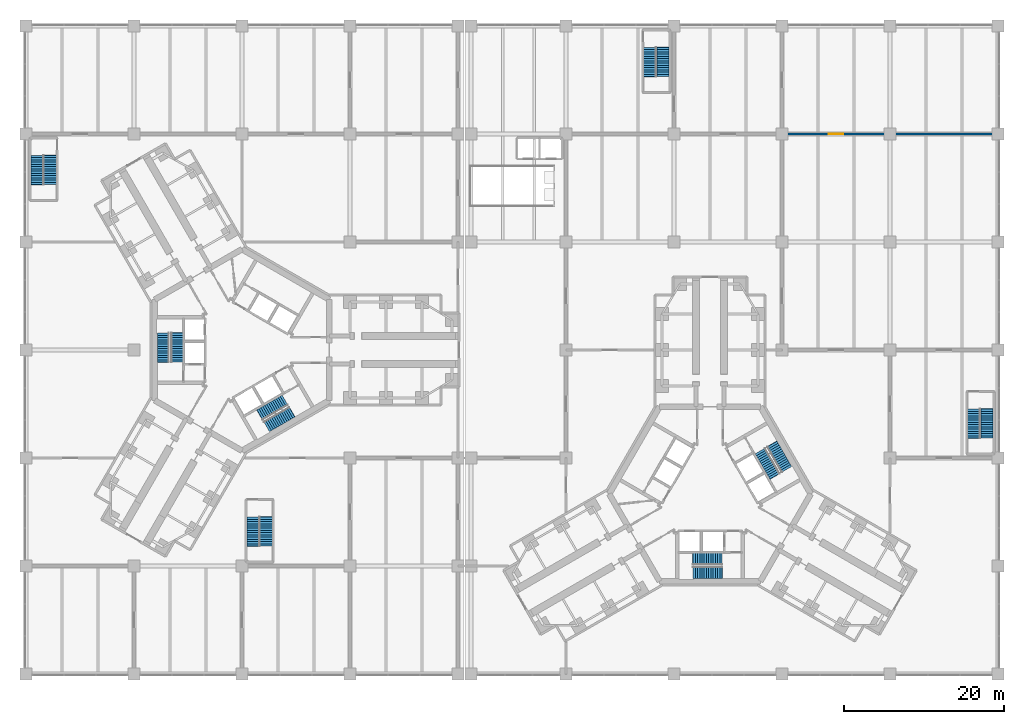
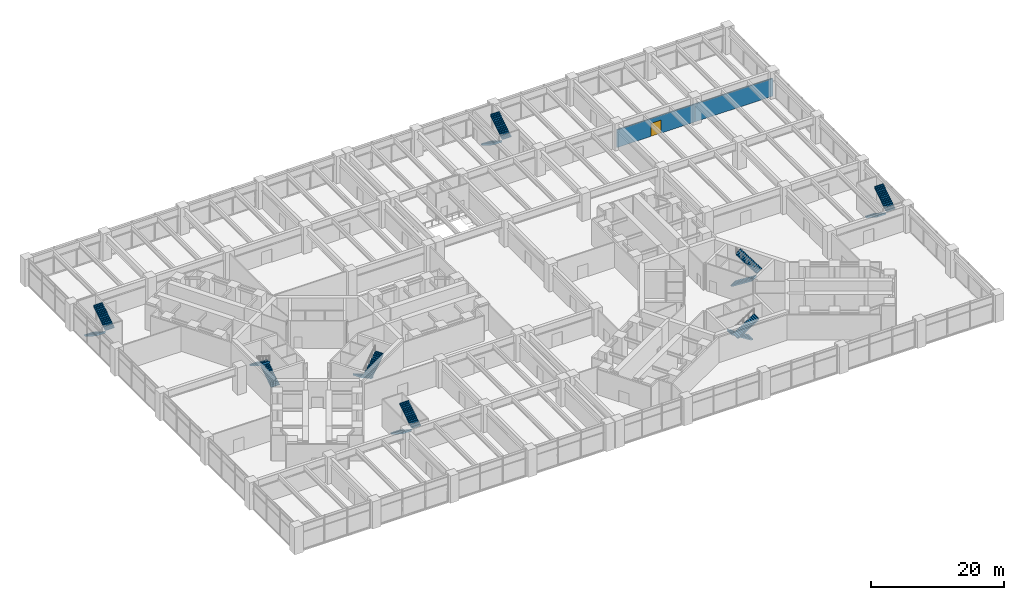
# One storey, part 29 of 31: 16 stair flights, 2 walls, 1 door, 1 opening, 8 elements without a shape of their own.
"""IFC4 building model written with IfcOpenShell, lengths in metres."""

from ifc_helpers import new_model, si_unit, direction, frame, frame_2d, origin, place, context, subcontext, project, spatial, polyline, rectangle, outline, extrude, material, layer, layer_set, type_object, element, fill, aggregate, save


model = new_model("IFC4")

# Units and contexts
model_context = context("Model", 3, precision=1e-05, world=origin(), true_north=direction((0.0, 1.0)))
body_context = subcontext(model_context, "Body", "Model", "MODEL_VIEW")
ifc_project = project(units=[si_unit("LENGTHUNIT", "METRE"), si_unit("AREAUNIT", "SQUARE_METRE"), si_unit("VOLUMEUNIT", "CUBIC_METRE"), si_unit("PLANEANGLEUNIT", "RADIAN"), si_unit("MASSUNIT", "GRAM", prefix="KILO")], contexts=[model_context])

# Site, building, storey
site_placement = place(None, origin())
site = spatial("IfcSite", under=ifc_project, at=site_placement, CompositionType="ELEMENT")
building_placement = place(site_placement, origin())
building = spatial("IfcBuilding", under=site, at=building_placement, Name="Upepo Twin Towers", CompositionType="ELEMENT")
storey_placement = place(building_placement, frame((0.0, 0.0, 15.5)))
storey = spatial("IfcBuildingStorey", under=building, at=storey_placement, Name="L03", CompositionType="ELEMENT", Elevation=15.5)

# Wall, opening, door
ifc_material_1 = material(Name="Concrete blockwork", Category="masonry")
ifc_layer = layer(ifc_material_1, 0.199951171875)
ifc_layer_set = layer_set([ifc_layer], Name="Podium partition 200 blockwork")
wall_type = type_object("IfcWallType", Name="Podium partition 200 blockwork", PredefinedType="PARTITIONING", material=ifc_layer_set)
wall_1_placement = place(storey_placement, frame((67.5, 27.0, 0.0), z_axis=(0.0, 0.0, 1.0), x_axis=(1.0, 0.0, 0.0)))
wall_1 = element("IfcWall", 1, at=wall_1_placement, inside=storey, type_object=wall_type, Name="L03 podium wall Y75", PredefinedType="PARTITIONING", context=body_context, shape_type="SweptSolid", body=[
    extrude(rectangle(XDim=13.5, YDim=0.199951171875, at=frame_2d((6.75, 0.0))), origin(), (0.0, 0.0, 1.0), 3.25),
])
opening_placement = place(wall_1_placement, frame((5.85009765625, 0.0, 0.0)))
opening = element("IfcOpeningElement", 2, at=opening_placement, cuts=wall_1, Name="Opening D10", PredefinedType="OPENING", context=body_context, shape_type="SweptSolid", body=[
    extrude(rectangle(XDim=1.800048828125, YDim=2.39990234375, at=frame_2d((0.89990234375, 1.199951171875))), frame((0.0, 0.10986328125, 0.0), z_axis=(0.0, -1.0, 0.0), x_axis=(1.0, 0.0, 0.0)), (0.0, 0.0, 1.0), 0.219970703125),
])
ifc_material_2 = material(Name="Timber doorset", Category="wood")
door_type = type_object("IfcDoorType", Name="Podium double door 1800", OperationType="DOUBLE_DOOR_DOUBLE_SWING", PredefinedType="DOOR", material=ifc_material_2)
door_placement = place(opening_placement, origin())
door = element("IfcDoor", 3, at=door_placement, inside=storey, type_object=door_type, Name="L03 research laboratory 3.03-podium plant room door", OperationType="DOUBLE_DOOR_DOUBLE_SWING", OverallHeight=2.39990234375, OverallWidth=1.800048828125, PredefinedType="DOOR", context=body_context, shape_type="SweptSolid", body=[
    extrude(rectangle(XDim=1.800048828125, YDim=2.39990234375, at=frame_2d((0.89990234375, 1.199951171875))), frame((0.0, 0.02490234375, 0.0), z_axis=(0.0, -1.0, 0.0), x_axis=(1.0, 0.0, 0.0)), (0.0, 0.0, 1.0), 0.050048828125),
])
fill(opening, door)

# Wall
wall_2_placement = place(storey_placement, frame((81.0, 27.0, 0.0), z_axis=(0.0, 0.0, 1.0), x_axis=(1.0, 0.0, 0.0)))
element("IfcWall", 4, at=wall_2_placement, inside=storey, type_object=wall_type, Name="L03 podium wall Y85", PredefinedType="PARTITIONING", context=body_context, shape_type="SweptSolid", body=[
    extrude(rectangle(XDim=13.5, YDim=0.199951171875, at=frame_2d((6.75, 0.0))), origin(), (0.0, 0.0, 1.0), 3.25),
])

# Stair, stair flights
ifc_material_3 = material(Name="Concrete C40/50", Category="concrete")
stair_type_1 = type_object("IfcStairType", Name="Podium stair, two flights", PredefinedType="HALF_TURN_STAIR", material=ifc_material_3)
stair_1_placement = place(storey_placement, origin())
stair_1 = element("IfcStair", 5, at=stair_1_placement, inside=storey, type_object=stair_type_1, Name="Podium stair PS1 L03", PredefinedType="HALF_TURN_STAIR")
ifc_material_4 = material(Name="Concrete C40/50", Category="concrete")
stair_flight_type_1 = type_object("IfcStairFlightType", Name="Podium stair flight 1550 RC", PredefinedType="STRAIGHT", material=ifc_material_4)
stair_flight_1_placement = place(storey_placement, frame((-25.625, 24.320068359375, 0.0), z_axis=(0.0, 0.0, 1.0), x_axis=(0.0, -1.0, 0.0)))
stair_flight_1 = element("IfcStairFlight", 6, at=stair_flight_1_placement, type_object=stair_flight_type_1, Name="Stair PS1 flight 1", NumberOfRisers=14, NumberOfTreads=13, PredefinedType="STRAIGHT", RiserHeight=0.178571429, TreadLength=0.28, context=body_context, shape_type="SweptSolid", body=[
    extrude(outline(polyline([(0.0, 0.0), (0.0, 0.178466796875), (0.280029296875, 0.178466796875), (0.280029296875, 0.357177734375), (0.56005859375, 0.357177734375), (0.56005859375, 0.53564453125), (0.840087890625, 0.53564453125), (0.840087890625, 0.71435546875), (1.1201171875, 0.71435546875), (1.1201171875, 0.892822265625), (1.39990234375, 0.892822265625), (1.39990234375, 1.071533203125), (1.679931640625, 1.071533203125), (1.679931640625, 1.25), (1.9599609375, 1.25), (1.9599609375, 1.428466796875), (2.239990234375, 1.428466796875), (2.239990234375, 1.607177734375), (2.52001953125, 1.607177734375), (2.52001953125, 1.78564453125), (2.800048828125, 1.78564453125), (2.800048828125, 1.96435546875), (3.080078125, 1.96435546875), (3.080078125, 2.142822265625), (3.360107421875, 2.142822265625), (3.360107421875, 2.321533203125), (3.639892578125, 2.321533203125), (3.639892578125, 2.5), (3.68994140625, 2.5), (3.68994140625, 2.1435546875), (0.328857421875, 0.0), (0.0, 0.0)])), frame((0.0, 0.77490234375, 0.0), z_axis=(0.0, -1.0, 0.0), x_axis=(1.0, 0.0, 0.0)), (0.0, 0.0, 1.0), 1.550048828125),
])
stair_flight_2_placement = place(storey_placement, frame((-23.97509765625, 20.679931640625, 2.5), z_axis=(0.0, 0.0, 1.0), x_axis=(0.0, 1.0, 0.0)))
stair_flight_2 = element("IfcStairFlight", 7, at=stair_flight_2_placement, type_object=stair_flight_type_1, Name="Stair PS1 flight 2", NumberOfRisers=14, NumberOfTreads=13, PredefinedType="STRAIGHT", RiserHeight=0.178571429, TreadLength=0.28, context=body_context, shape_type="SweptSolid", body=[
    extrude(outline(polyline([(0.0, 0.0), (0.0, 0.178466796875), (0.280029296875, 0.178466796875), (0.280029296875, 0.357177734375), (0.56005859375, 0.357177734375), (0.56005859375, 0.53564453125), (0.840087890625, 0.53564453125), (0.840087890625, 0.71435546875), (1.1201171875, 0.71435546875), (1.1201171875, 0.892822265625), (1.39990234375, 0.892822265625), (1.39990234375, 1.071533203125), (1.679931640625, 1.071533203125), (1.679931640625, 1.25), (1.9599609375, 1.25), (1.9599609375, 1.428466796875), (2.239990234375, 1.428466796875), (2.239990234375, 1.607177734375), (2.52001953125, 1.607177734375), (2.52001953125, 1.78564453125), (2.800048828125, 1.78564453125), (2.800048828125, 1.96435546875), (3.080078125, 1.96435546875), (3.080078125, 2.142822265625), (3.360107421875, 2.142822265625), (3.360107421875, 2.321533203125), (3.639892578125, 2.321533203125), (3.639892578125, 2.5), (3.68994140625, 2.5), (3.68994140625, 2.1435546875), (0.328857421875, 0.0), (0.0, 0.0)])), frame((0.0, 0.77490234375, 0.0), z_axis=(0.0, -1.0, 0.0), x_axis=(1.0, 0.0, 0.0)), (0.0, 0.0, 1.0), 1.550048828125),
])
aggregate(stair_1, [stair_flight_1, stair_flight_2])

stair_2_placement = place(storey_placement, origin())
stair_2 = element("IfcStair", 8, at=stair_2_placement, inside=storey, type_object=stair_type_1, Name="Podium stair PS2 L03", PredefinedType="HALF_TURN_STAIR")
stair_flight_3_placement = place(storey_placement, frame((91.47509765625, -7.3798828125, 0.0), z_axis=(0.0, 0.0, 1.0), x_axis=(0.0, -1.0, 0.0)))
stair_flight_3 = element("IfcStairFlight", 9, at=stair_flight_3_placement, type_object=stair_flight_type_1, Name="Stair PS2 flight 1", NumberOfRisers=14, NumberOfTreads=13, PredefinedType="STRAIGHT", RiserHeight=0.178571429, TreadLength=0.28, context=body_context, shape_type="SweptSolid", body=[
    extrude(outline(polyline([(0.0, 0.0), (0.0, 0.178466796875), (0.280029296875, 0.178466796875), (0.280029296875, 0.357177734375), (0.56005859375, 0.357177734375), (0.56005859375, 0.53564453125), (0.840087890625, 0.53564453125), (0.840087890625, 0.71435546875), (1.1201171875, 0.71435546875), (1.1201171875, 0.892822265625), (1.39990234375, 0.892822265625), (1.39990234375, 1.071533203125), (1.679931640625, 1.071533203125), (1.679931640625, 1.25), (1.9599609375, 1.25), (1.9599609375, 1.428466796875), (2.239990234375, 1.428466796875), (2.239990234375, 1.607177734375), (2.52001953125, 1.607177734375), (2.52001953125, 1.78564453125), (2.800048828125, 1.78564453125), (2.800048828125, 1.96435546875), (3.080078125, 1.96435546875), (3.080078125, 2.142822265625), (3.360107421875, 2.142822265625), (3.360107421875, 2.321533203125), (3.639892578125, 2.321533203125), (3.639892578125, 2.5), (3.68994140625, 2.5), (3.68994140625, 2.1435546875), (0.328857421875, 0.0), (0.0, 0.0)])), frame((0.0, 0.77490234375, 0.0), z_axis=(0.0, -1.0, 0.0), x_axis=(1.0, 0.0, 0.0)), (0.0, 0.0, 1.0), 1.550048828125),
])
stair_flight_4_placement = place(storey_placement, frame((93.125, -11.02001953125, 2.5), z_axis=(0.0, 0.0, 1.0), x_axis=(0.0, 1.0, 0.0)))
stair_flight_4 = element("IfcStairFlight", 10, at=stair_flight_4_placement, type_object=stair_flight_type_1, Name="Stair PS2 flight 2", NumberOfRisers=14, NumberOfTreads=13, PredefinedType="STRAIGHT", RiserHeight=0.178571429, TreadLength=0.28, context=body_context, shape_type="SweptSolid", body=[
    extrude(outline(polyline([(0.0, 0.0), (0.0, 0.178466796875), (0.280029296875, 0.178466796875), (0.280029296875, 0.357177734375), (0.56005859375, 0.357177734375), (0.56005859375, 0.53564453125), (0.840087890625, 0.53564453125), (0.840087890625, 0.71435546875), (1.1201171875, 0.71435546875), (1.1201171875, 0.892822265625), (1.39990234375, 0.892822265625), (1.39990234375, 1.071533203125), (1.679931640625, 1.071533203125), (1.679931640625, 1.25), (1.9599609375, 1.25), (1.9599609375, 1.428466796875), (2.239990234375, 1.428466796875), (2.239990234375, 1.607177734375), (2.52001953125, 1.607177734375), (2.52001953125, 1.78564453125), (2.800048828125, 1.78564453125), (2.800048828125, 1.96435546875), (3.080078125, 1.96435546875), (3.080078125, 2.142822265625), (3.360107421875, 2.142822265625), (3.360107421875, 2.321533203125), (3.639892578125, 2.321533203125), (3.639892578125, 2.5), (3.68994140625, 2.5), (3.68994140625, 2.1435546875), (0.328857421875, 0.0), (0.0, 0.0)])), frame((0.0, 0.77490234375, 0.0), z_axis=(0.0, -1.0, 0.0), x_axis=(1.0, 0.0, 0.0)), (0.0, 0.0, 1.0), 1.550048828125),
])
aggregate(stair_2, [stair_flight_3, stair_flight_4])

stair_3_placement = place(storey_placement, origin())
stair_3 = element("IfcStair", 11, at=stair_3_placement, inside=storey, type_object=stair_type_1, Name="Podium stair PS3 L03", PredefinedType="HALF_TURN_STAIR")
stair_flight_5_placement = place(storey_placement, frame((1.375, -20.8798828125, 0.0), z_axis=(0.0, 0.0, 1.0), x_axis=(0.0, -1.0, 0.0)))
stair_flight_5 = element("IfcStairFlight", 12, at=stair_flight_5_placement, type_object=stair_flight_type_1, Name="Stair PS3 flight 1", NumberOfRisers=14, NumberOfTreads=13, PredefinedType="STRAIGHT", RiserHeight=0.178571429, TreadLength=0.28, context=body_context, shape_type="SweptSolid", body=[
    extrude(outline(polyline([(0.0, 0.0), (0.0, 0.178466796875), (0.280029296875, 0.178466796875), (0.280029296875, 0.357177734375), (0.56005859375, 0.357177734375), (0.56005859375, 0.53564453125), (0.840087890625, 0.53564453125), (0.840087890625, 0.71435546875), (1.1201171875, 0.71435546875), (1.1201171875, 0.892822265625), (1.39990234375, 0.892822265625), (1.39990234375, 1.071533203125), (1.679931640625, 1.071533203125), (1.679931640625, 1.25), (1.9599609375, 1.25), (1.9599609375, 1.428466796875), (2.239990234375, 1.428466796875), (2.239990234375, 1.607177734375), (2.52001953125, 1.607177734375), (2.52001953125, 1.78564453125), (2.800048828125, 1.78564453125), (2.800048828125, 1.96435546875), (3.080078125, 1.96435546875), (3.080078125, 2.142822265625), (3.360107421875, 2.142822265625), (3.360107421875, 2.321533203125), (3.639892578125, 2.321533203125), (3.639892578125, 2.5), (3.68994140625, 2.5), (3.68994140625, 2.1435546875), (0.328857421875, 0.0), (0.0, 0.0)])), frame((0.0, 0.77490234375, 0.0), z_axis=(0.0, -1.0, 0.0), x_axis=(1.0, 0.0, 0.0)), (0.0, 0.0, 1.0), 1.550048828125),
])
stair_flight_6_placement = place(storey_placement, frame((3.02490234375, -24.52001953125, 2.5), z_axis=(0.0, 0.0, 1.0), x_axis=(0.0, 1.0, 0.0)))
stair_flight_6 = element("IfcStairFlight", 13, at=stair_flight_6_placement, type_object=stair_flight_type_1, Name="Stair PS3 flight 2", NumberOfRisers=14, NumberOfTreads=13, PredefinedType="STRAIGHT", RiserHeight=0.178571429, TreadLength=0.28, context=body_context, shape_type="SweptSolid", body=[
    extrude(outline(polyline([(0.0, 0.0), (0.0, 0.178466796875), (0.280029296875, 0.178466796875), (0.280029296875, 0.357177734375), (0.56005859375, 0.357177734375), (0.56005859375, 0.53564453125), (0.840087890625, 0.53564453125), (0.840087890625, 0.71435546875), (1.1201171875, 0.71435546875), (1.1201171875, 0.892822265625), (1.39990234375, 0.892822265625), (1.39990234375, 1.071533203125), (1.679931640625, 1.071533203125), (1.679931640625, 1.25), (1.9599609375, 1.25), (1.9599609375, 1.428466796875), (2.239990234375, 1.428466796875), (2.239990234375, 1.607177734375), (2.52001953125, 1.607177734375), (2.52001953125, 1.78564453125), (2.800048828125, 1.78564453125), (2.800048828125, 1.96435546875), (3.080078125, 1.96435546875), (3.080078125, 2.142822265625), (3.360107421875, 2.142822265625), (3.360107421875, 2.321533203125), (3.639892578125, 2.321533203125), (3.639892578125, 2.5), (3.68994140625, 2.5), (3.68994140625, 2.1435546875), (0.328857421875, 0.0), (0.0, 0.0)])), frame((0.0, 0.77490234375, 0.0), z_axis=(0.0, -1.0, 0.0), x_axis=(1.0, 0.0, 0.0)), (0.0, 0.0, 1.0), 1.550048828125),
])
aggregate(stair_3, [stair_flight_5, stair_flight_6])

stair_4_placement = place(storey_placement, origin())
stair_4 = element("IfcStair", 14, at=stair_4_placement, inside=storey, type_object=stair_type_1, Name="Podium stair PS4 L03", PredefinedType="HALF_TURN_STAIR")
stair_flight_7_placement = place(storey_placement, frame((50.97509765625, 37.820068359375, 0.0), z_axis=(0.0, 0.0, 1.0), x_axis=(0.0, -1.0, 0.0)))
stair_flight_7 = element("IfcStairFlight", 15, at=stair_flight_7_placement, type_object=stair_flight_type_1, Name="Stair PS4 flight 1", NumberOfRisers=14, NumberOfTreads=13, PredefinedType="STRAIGHT", RiserHeight=0.178571429, TreadLength=0.28, context=body_context, shape_type="SweptSolid", body=[
    extrude(outline(polyline([(0.0, 0.0), (0.0, 0.178466796875), (0.280029296875, 0.178466796875), (0.280029296875, 0.357177734375), (0.56005859375, 0.357177734375), (0.56005859375, 0.53564453125), (0.840087890625, 0.53564453125), (0.840087890625, 0.71435546875), (1.1201171875, 0.71435546875), (1.1201171875, 0.892822265625), (1.39990234375, 0.892822265625), (1.39990234375, 1.071533203125), (1.679931640625, 1.071533203125), (1.679931640625, 1.25), (1.9599609375, 1.25), (1.9599609375, 1.428466796875), (2.239990234375, 1.428466796875), (2.239990234375, 1.607177734375), (2.52001953125, 1.607177734375), (2.52001953125, 1.78564453125), (2.800048828125, 1.78564453125), (2.800048828125, 1.96435546875), (3.080078125, 1.96435546875), (3.080078125, 2.142822265625), (3.360107421875, 2.142822265625), (3.360107421875, 2.321533203125), (3.639892578125, 2.321533203125), (3.639892578125, 2.5), (3.68994140625, 2.5), (3.68994140625, 2.1435546875), (0.328857421875, 0.0), (0.0, 0.0)])), frame((0.0, 0.77490234375, 0.0), z_axis=(0.0, -1.0, 0.0), x_axis=(1.0, 0.0, 0.0)), (0.0, 0.0, 1.0), 1.550048828125),
])
stair_flight_8_placement = place(storey_placement, frame((52.625, 34.179931640625, 2.5), z_axis=(0.0, 0.0, 1.0), x_axis=(0.0, 1.0, 0.0)))
stair_flight_8 = element("IfcStairFlight", 16, at=stair_flight_8_placement, type_object=stair_flight_type_1, Name="Stair PS4 flight 2", NumberOfRisers=14, NumberOfTreads=13, PredefinedType="STRAIGHT", RiserHeight=0.178571429, TreadLength=0.28, context=body_context, shape_type="SweptSolid", body=[
    extrude(outline(polyline([(0.0, 0.0), (0.0, 0.178466796875), (0.280029296875, 0.178466796875), (0.280029296875, 0.357177734375), (0.56005859375, 0.357177734375), (0.56005859375, 0.53564453125), (0.840087890625, 0.53564453125), (0.840087890625, 0.71435546875), (1.1201171875, 0.71435546875), (1.1201171875, 0.892822265625), (1.39990234375, 0.892822265625), (1.39990234375, 1.071533203125), (1.679931640625, 1.071533203125), (1.679931640625, 1.25), (1.9599609375, 1.25), (1.9599609375, 1.428466796875), (2.239990234375, 1.428466796875), (2.239990234375, 1.607177734375), (2.52001953125, 1.607177734375), (2.52001953125, 1.78564453125), (2.800048828125, 1.78564453125), (2.800048828125, 1.96435546875), (3.080078125, 1.96435546875), (3.080078125, 2.142822265625), (3.360107421875, 2.142822265625), (3.360107421875, 2.321533203125), (3.639892578125, 2.321533203125), (3.639892578125, 2.5), (3.68994140625, 2.5), (3.68994140625, 2.1435546875), (0.328857421875, 0.0), (0.0, 0.0)])), frame((0.0, 0.77490234375, 0.0), z_axis=(0.0, -1.0, 0.0), x_axis=(1.0, 0.0, 0.0)), (0.0, 0.0, 1.0), 1.550048828125),
])
aggregate(stair_4, [stair_flight_7, stair_flight_8])

ifc_material_5 = material(Name="Concrete C40/50", Category="concrete")
stair_type_2 = type_object("IfcStairType", Name="Core stair, two flights", PredefinedType="HALF_TURN_STAIR", material=ifc_material_5)
stair_5_placement = place(storey_placement, origin())
stair_5 = element("IfcStair", 17, at=stair_5_placement, inside=storey, type_object=stair_type_2, Name="T1 stair S1 L03", PredefinedType="HALF_TURN_STAIR")
ifc_material_6 = material(Name="Concrete C40/50", Category="concrete")
stair_flight_type_2 = type_object("IfcStairFlightType", Name="Stair flight 1450 RC", PredefinedType="STRAIGHT", material=ifc_material_6)
stair_flight_9_placement = place(storey_placement, frame((-8.125, -1.52001953125, 0.0), z_axis=(0.0, 0.0, 1.0), x_axis=(0.0, 1.0, 0.0)))
stair_flight_9 = element("IfcStairFlight", 18, at=stair_flight_9_placement, type_object=stair_flight_type_2, Name="Stair S1 flight 1", NumberOfRisers=14, NumberOfTreads=13, PredefinedType="STRAIGHT", RiserHeight=0.178571429, TreadLength=0.28, context=body_context, shape_type="SweptSolid", body=[
    extrude(outline(polyline([(0.0, 0.0), (0.0, 0.178466796875), (0.280029296875, 0.178466796875), (0.280029296875, 0.357177734375), (0.56005859375, 0.357177734375), (0.56005859375, 0.53564453125), (0.840087890625, 0.53564453125), (0.840087890625, 0.71435546875), (1.1201171875, 0.71435546875), (1.1201171875, 0.892822265625), (1.39990234375, 0.892822265625), (1.39990234375, 1.071533203125), (1.679931640625, 1.071533203125), (1.679931640625, 1.25), (1.9599609375, 1.25), (1.9599609375, 1.428466796875), (2.239990234375, 1.428466796875), (2.239990234375, 1.607177734375), (2.52001953125, 1.607177734375), (2.52001953125, 1.78564453125), (2.800048828125, 1.78564453125), (2.800048828125, 1.96435546875), (3.080078125, 1.96435546875), (3.080078125, 2.142822265625), (3.360107421875, 2.142822265625), (3.360107421875, 2.321533203125), (3.639892578125, 2.321533203125), (3.639892578125, 2.5), (3.68994140625, 2.5), (3.68994140625, 2.1435546875), (0.328857421875, 0.0), (0.0, 0.0)])), frame((0.0, 0.72509765625, 0.0), z_axis=(0.0, -1.0, 0.0), x_axis=(1.0, 0.0, 0.0)), (0.0, 0.0, 1.0), 1.449951171875),
])
stair_flight_10_placement = place(storey_placement, frame((-9.833251953125, 2.1201171875, 2.5), z_axis=(0.0, 0.0, 1.0), x_axis=(0.0, -1.0, 0.0)))
stair_flight_10 = element("IfcStairFlight", 19, at=stair_flight_10_placement, type_object=stair_flight_type_2, Name="Stair S1 flight 2", NumberOfRisers=14, NumberOfTreads=13, PredefinedType="STRAIGHT", RiserHeight=0.178571429, TreadLength=0.28, context=body_context, shape_type="SweptSolid", body=[
    extrude(outline(polyline([(0.0, 0.0), (0.0, 0.178466796875), (0.280029296875, 0.178466796875), (0.280029296875, 0.357177734375), (0.56005859375, 0.357177734375), (0.56005859375, 0.53564453125), (0.840087890625, 0.53564453125), (0.840087890625, 0.71435546875), (1.1201171875, 0.71435546875), (1.1201171875, 0.892822265625), (1.39990234375, 0.892822265625), (1.39990234375, 1.071533203125), (1.679931640625, 1.071533203125), (1.679931640625, 1.25), (1.9599609375, 1.25), (1.9599609375, 1.428466796875), (2.239990234375, 1.428466796875), (2.239990234375, 1.607177734375), (2.52001953125, 1.607177734375), (2.52001953125, 1.78564453125), (2.800048828125, 1.78564453125), (2.800048828125, 1.96435546875), (3.080078125, 1.96435546875), (3.080078125, 2.142822265625), (3.360107421875, 2.142822265625), (3.360107421875, 2.321533203125), (3.639892578125, 2.321533203125), (3.639892578125, 2.5), (3.68994140625, 2.5), (3.68994140625, 2.1435546875), (0.328857421875, 0.0), (0.0, 0.0)])), frame((0.0, 0.72509765625, 0.0), z_axis=(0.0, -1.0, 0.0), x_axis=(1.0, 0.0, 0.0)), (0.0, 0.0, 1.0), 1.449951171875),
])
aggregate(stair_5, [stair_flight_9, stair_flight_10])

stair_6_placement = place(storey_placement, origin())
stair_6 = element("IfcStair", 20, at=stair_6_placement, inside=storey, type_object=stair_type_2, Name="T1 stair S2 L03", PredefinedType="HALF_TURN_STAIR")
stair_flight_11_placement = place(storey_placement, frame((5.37890625, -6.2763671875, 0.0), z_axis=(0.0, 0.0, 1.0), x_axis=(-0.866025403784, -0.5, 0.0)))
stair_flight_11 = element("IfcStairFlight", 21, at=stair_flight_11_placement, type_object=stair_flight_type_2, Name="Stair S2 flight 1", NumberOfRisers=14, NumberOfTreads=13, PredefinedType="STRAIGHT", RiserHeight=0.178571429, TreadLength=0.28, context=body_context, shape_type="SweptSolid", body=[
    extrude(outline(polyline([(0.0, 0.0), (0.0, 0.178466796875), (0.280029296875, 0.178466796875), (0.280029296875, 0.357177734375), (0.56005859375, 0.357177734375), (0.56005859375, 0.53564453125), (0.840087890625, 0.53564453125), (0.840087890625, 0.71435546875), (1.1201171875, 0.71435546875), (1.1201171875, 0.892822265625), (1.39990234375, 0.892822265625), (1.39990234375, 1.071533203125), (1.679931640625, 1.071533203125), (1.679931640625, 1.25), (1.9599609375, 1.25), (1.9599609375, 1.428466796875), (2.239990234375, 1.428466796875), (2.239990234375, 1.607177734375), (2.52001953125, 1.607177734375), (2.52001953125, 1.78564453125), (2.800048828125, 1.78564453125), (2.800048828125, 1.96435546875), (3.080078125, 1.96435546875), (3.080078125, 2.142822265625), (3.360107421875, 2.142822265625), (3.360107421875, 2.321533203125), (3.639892578125, 2.321533203125), (3.639892578125, 2.5), (3.68994140625, 2.5), (3.68994140625, 2.1435546875), (0.328857421875, 0.0), (0.0, 0.0)])), frame((0.0, 0.72509765625, 0.0), z_axis=(0.0, -1.0, 0.0), x_axis=(1.0, 0.0, 0.0)), (0.0, 0.0, 1.0), 1.449951171875),
])
stair_flight_12_placement = place(storey_placement, frame((3.080810546875, -9.575927734375, 2.5), z_axis=(0.0, 0.0, 1.0), x_axis=(0.866025403784, 0.5, 0.0)))
stair_flight_12 = element("IfcStairFlight", 22, at=stair_flight_12_placement, type_object=stair_flight_type_2, Name="Stair S2 flight 2", NumberOfRisers=14, NumberOfTreads=13, PredefinedType="STRAIGHT", RiserHeight=0.178571429, TreadLength=0.28, context=body_context, shape_type="SweptSolid", body=[
    extrude(outline(polyline([(0.0, 0.0), (0.0, 0.178466796875), (0.280029296875, 0.178466796875), (0.280029296875, 0.357177734375), (0.56005859375, 0.357177734375), (0.56005859375, 0.53564453125), (0.840087890625, 0.53564453125), (0.840087890625, 0.71435546875), (1.1201171875, 0.71435546875), (1.1201171875, 0.892822265625), (1.39990234375, 0.892822265625), (1.39990234375, 1.071533203125), (1.679931640625, 1.071533203125), (1.679931640625, 1.25), (1.9599609375, 1.25), (1.9599609375, 1.428466796875), (2.239990234375, 1.428466796875), (2.239990234375, 1.607177734375), (2.52001953125, 1.607177734375), (2.52001953125, 1.78564453125), (2.800048828125, 1.78564453125), (2.800048828125, 1.96435546875), (3.080078125, 1.96435546875), (3.080078125, 2.142822265625), (3.360107421875, 2.142822265625), (3.360107421875, 2.321533203125), (3.639892578125, 2.321533203125), (3.639892578125, 2.5), (3.68994140625, 2.5), (3.68994140625, 2.1435546875), (0.328857421875, 0.0), (0.0, 0.0)])), frame((0.0, 0.72509765625, 0.0), z_axis=(0.0, -1.0, 0.0), x_axis=(1.0, 0.0, 0.0)), (0.0, 0.0, 1.0), 1.449951171875),
])
aggregate(stair_6, [stair_flight_11, stair_flight_12])

stair_7_placement = place(storey_placement, origin())
stair_7 = element("IfcStair", 23, at=stair_7_placement, inside=storey, type_object=stair_type_2, Name="T2 stair S1 L03", PredefinedType="HALF_TURN_STAIR")
stair_flight_13_placement = place(storey_placement, frame((60.02001953125, -26.125, 0.0), z_axis=(0.0, 0.0, 1.0), x_axis=(-1.0, 0.0, 0.0)))
stair_flight_13 = element("IfcStairFlight", 24, at=stair_flight_13_placement, type_object=stair_flight_type_2, Name="Stair S1 flight 1", NumberOfRisers=14, NumberOfTreads=13, PredefinedType="STRAIGHT", RiserHeight=0.178571429, TreadLength=0.28, context=body_context, shape_type="SweptSolid", body=[
    extrude(outline(polyline([(0.0, 0.0), (0.0, 0.178466796875), (0.280029296875, 0.178466796875), (0.280029296875, 0.357177734375), (0.56005859375, 0.357177734375), (0.56005859375, 0.53564453125), (0.840087890625, 0.53564453125), (0.840087890625, 0.71435546875), (1.1201171875, 0.71435546875), (1.1201171875, 0.892822265625), (1.39990234375, 0.892822265625), (1.39990234375, 1.071533203125), (1.679931640625, 1.071533203125), (1.679931640625, 1.25), (1.9599609375, 1.25), (1.9599609375, 1.428466796875), (2.239990234375, 1.428466796875), (2.239990234375, 1.607177734375), (2.52001953125, 1.607177734375), (2.52001953125, 1.78564453125), (2.800048828125, 1.78564453125), (2.800048828125, 1.96435546875), (3.080078125, 1.96435546875), (3.080078125, 2.142822265625), (3.360107421875, 2.142822265625), (3.360107421875, 2.321533203125), (3.639892578125, 2.321533203125), (3.639892578125, 2.5), (3.68994140625, 2.5), (3.68994140625, 2.1435546875), (0.328857421875, 0.0), (0.0, 0.0)])), frame((0.0, 0.72509765625, 0.0), z_axis=(0.0, -1.0, 0.0), x_axis=(1.0, 0.0, 0.0)), (0.0, 0.0, 1.0), 1.449951171875),
])
stair_flight_14_placement = place(storey_placement, frame((56.3798828125, -27.833251953125, 2.5), z_axis=(0.0, 0.0, 1.0), x_axis=(1.0, 0.0, 0.0)))
stair_flight_14 = element("IfcStairFlight", 25, at=stair_flight_14_placement, type_object=stair_flight_type_2, Name="Stair S1 flight 2", NumberOfRisers=14, NumberOfTreads=13, PredefinedType="STRAIGHT", RiserHeight=0.178571429, TreadLength=0.28, context=body_context, shape_type="SweptSolid", body=[
    extrude(outline(polyline([(0.0, 0.0), (0.0, 0.178466796875), (0.280029296875, 0.178466796875), (0.280029296875, 0.357177734375), (0.56005859375, 0.357177734375), (0.56005859375, 0.53564453125), (0.840087890625, 0.53564453125), (0.840087890625, 0.71435546875), (1.1201171875, 0.71435546875), (1.1201171875, 0.892822265625), (1.39990234375, 0.892822265625), (1.39990234375, 1.071533203125), (1.679931640625, 1.071533203125), (1.679931640625, 1.25), (1.9599609375, 1.25), (1.9599609375, 1.428466796875), (2.239990234375, 1.428466796875), (2.239990234375, 1.607177734375), (2.52001953125, 1.607177734375), (2.52001953125, 1.78564453125), (2.800048828125, 1.78564453125), (2.800048828125, 1.96435546875), (3.080078125, 1.96435546875), (3.080078125, 2.142822265625), (3.360107421875, 2.142822265625), (3.360107421875, 2.321533203125), (3.639892578125, 2.321533203125), (3.639892578125, 2.5), (3.68994140625, 2.5), (3.68994140625, 2.1435546875), (0.328857421875, 0.0), (0.0, 0.0)])), frame((0.0, 0.72509765625, 0.0), z_axis=(0.0, -1.0, 0.0), x_axis=(1.0, 0.0, 0.0)), (0.0, 0.0, 1.0), 1.449951171875),
])
aggregate(stair_7, [stair_flight_13, stair_flight_14])

stair_8_placement = place(storey_placement, origin())
stair_8 = element("IfcStair", 26, at=stair_8_placement, inside=storey, type_object=stair_type_2, Name="T2 stair S2 L03", PredefinedType="HALF_TURN_STAIR")
stair_flight_15_placement = place(storey_placement, frame((64.7763671875, -12.62109375, 0.0), z_axis=(0.0, 0.0, 1.0), x_axis=(0.5, -0.866025403784, 0.0)))
stair_flight_15 = element("IfcStairFlight", 27, at=stair_flight_15_placement, type_object=stair_flight_type_2, Name="Stair S2 flight 1", NumberOfRisers=14, NumberOfTreads=13, PredefinedType="STRAIGHT", RiserHeight=0.178571429, TreadLength=0.28, context=body_context, shape_type="SweptSolid", body=[
    extrude(outline(polyline([(0.0, 0.0), (0.0, 0.178466796875), (0.280029296875, 0.178466796875), (0.280029296875, 0.357177734375), (0.56005859375, 0.357177734375), (0.56005859375, 0.53564453125), (0.840087890625, 0.53564453125), (0.840087890625, 0.71435546875), (1.1201171875, 0.71435546875), (1.1201171875, 0.892822265625), (1.39990234375, 0.892822265625), (1.39990234375, 1.071533203125), (1.679931640625, 1.071533203125), (1.679931640625, 1.25), (1.9599609375, 1.25), (1.9599609375, 1.428466796875), (2.239990234375, 1.428466796875), (2.239990234375, 1.607177734375), (2.52001953125, 1.607177734375), (2.52001953125, 1.78564453125), (2.800048828125, 1.78564453125), (2.800048828125, 1.96435546875), (3.080078125, 1.96435546875), (3.080078125, 2.142822265625), (3.360107421875, 2.142822265625), (3.360107421875, 2.321533203125), (3.639892578125, 2.321533203125), (3.639892578125, 2.5), (3.68994140625, 2.5), (3.68994140625, 2.1435546875), (0.328857421875, 0.0), (0.0, 0.0)])), frame((0.0, 0.72509765625, 0.0), z_axis=(0.0, -1.0, 0.0), x_axis=(1.0, 0.0, 0.0)), (0.0, 0.0, 1.0), 1.449951171875),
])
stair_flight_16_placement = place(storey_placement, frame((68.075927734375, -14.919189453125, 2.5), z_axis=(0.0, 0.0, 1.0), x_axis=(-0.5, 0.866025403784, 0.0)))
stair_flight_16 = element("IfcStairFlight", 28, at=stair_flight_16_placement, type_object=stair_flight_type_2, Name="Stair S2 flight 2", NumberOfRisers=14, NumberOfTreads=13, PredefinedType="STRAIGHT", RiserHeight=0.178571429, TreadLength=0.28, context=body_context, shape_type="SweptSolid", body=[
    extrude(outline(polyline([(0.0, 0.0), (0.0, 0.178466796875), (0.280029296875, 0.178466796875), (0.280029296875, 0.357177734375), (0.56005859375, 0.357177734375), (0.56005859375, 0.53564453125), (0.840087890625, 0.53564453125), (0.840087890625, 0.71435546875), (1.1201171875, 0.71435546875), (1.1201171875, 0.892822265625), (1.39990234375, 0.892822265625), (1.39990234375, 1.071533203125), (1.679931640625, 1.071533203125), (1.679931640625, 1.25), (1.9599609375, 1.25), (1.9599609375, 1.428466796875), (2.239990234375, 1.428466796875), (2.239990234375, 1.607177734375), (2.52001953125, 1.607177734375), (2.52001953125, 1.78564453125), (2.800048828125, 1.78564453125), (2.800048828125, 1.96435546875), (3.080078125, 1.96435546875), (3.080078125, 2.142822265625), (3.360107421875, 2.142822265625), (3.360107421875, 2.321533203125), (3.639892578125, 2.321533203125), (3.639892578125, 2.5), (3.68994140625, 2.5), (3.68994140625, 2.1435546875), (0.328857421875, 0.0), (0.0, 0.0)])), frame((0.0, 0.72509765625, 0.0), z_axis=(0.0, -1.0, 0.0), x_axis=(1.0, 0.0, 0.0)), (0.0, 0.0, 1.0), 1.449951171875),
])
aggregate(stair_8, [stair_flight_15, stair_flight_16])

save(model, "model.ifc")
